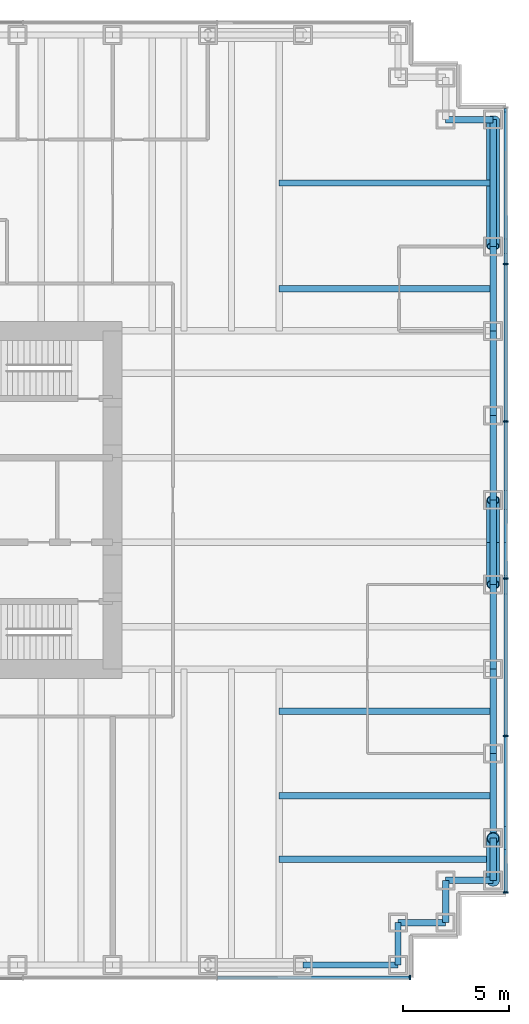
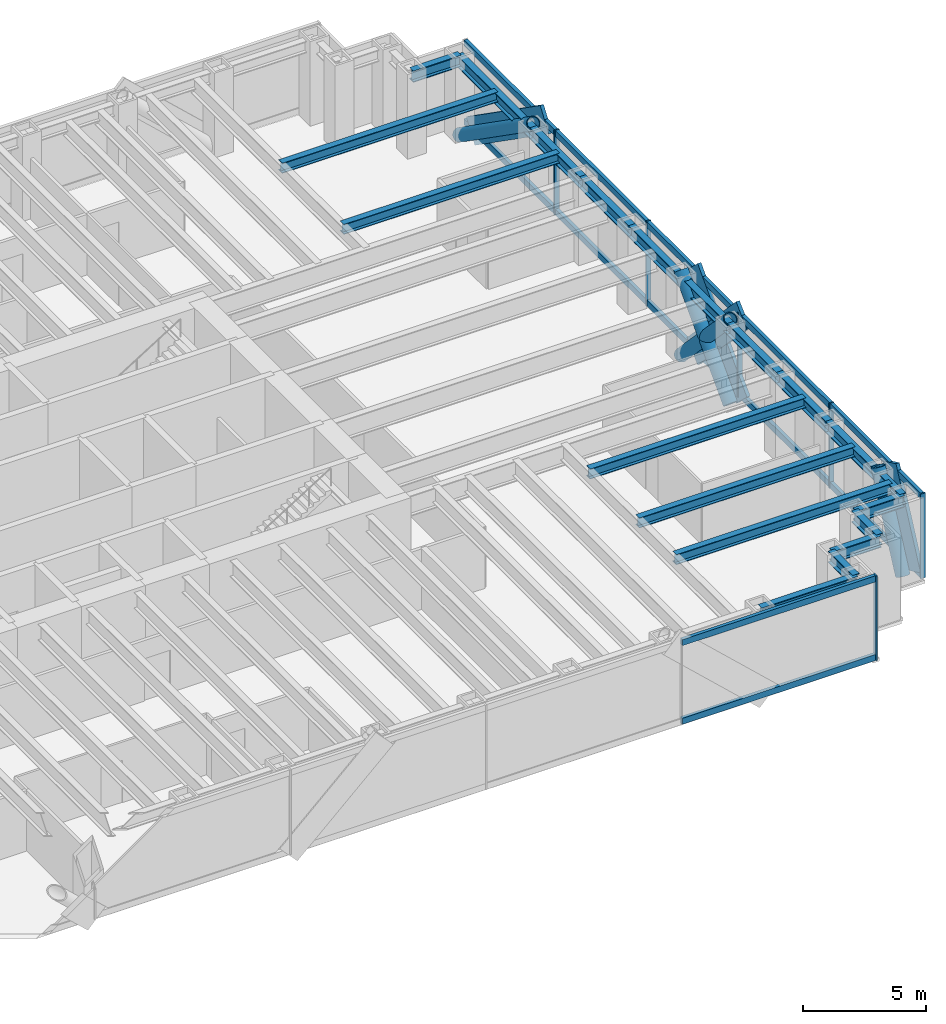
# One storey, part 8 of 17: 26 members, 20 beams, 2 elements without a shape of their own.
"""IFC4 building model written with IfcOpenShell, lengths in metres."""

from ifc_helpers import new_model, si_unit, direction, frame, origin, origin_2d, place, context, subcontext, project, spatial, rectangle, hollow_circle, i_section, extrude, material, material_profile, profile_set, type_object, element, aggregate, save


model = new_model("IFC4")

# Units and contexts
model_context = context("Model", 3, precision=1e-05, world=origin(), true_north=direction((0.0, 1.0)))
body_context = subcontext(model_context, "Body", "Model", "MODEL_VIEW")
ifc_project = project(units=[si_unit("LENGTHUNIT", "METRE"), si_unit("AREAUNIT", "SQUARE_METRE"), si_unit("VOLUMEUNIT", "CUBIC_METRE"), si_unit("PLANEANGLEUNIT", "RADIAN"), si_unit("MASSUNIT", "GRAM", prefix="KILO")], contexts=[model_context])

# Site, building, storey
site_placement = place(None, origin())
site = spatial("IfcSite", under=ifc_project, at=site_placement, CompositionType="ELEMENT")
building_placement = place(site_placement, origin())
building = spatial("IfcBuilding", under=site, at=building_placement, Name="Rheinbord Bourse Tower", CompositionType="ELEMENT")
storey_placement = place(building_placement, frame((0.0, 0.0, 159.300048828125)))
storey = spatial("IfcBuildingStorey", under=building, at=storey_placement, Name="L35", CompositionType="ELEMENT", Elevation=159.300048828125)

# Curtain wall, members
ifc_material_1 = material(Name="Dark glass and black aluminium", Category="aluminium")
curtain_wall_type = type_object("IfcCurtainWallType", Name="CW2 DARK GLASS CURTAIN WALL", PredefinedType="USERDEFINED", material=ifc_material_1)
curtain_wall_1_placement = place(storey_placement, origin())
curtain_wall_1 = element("IfcCurtainWall", 1, at=curtain_wall_1_placement, inside=storey, type_object=curtain_wall_type, Name="Curtain wall CW2 E L35", ObjectType="UNITISED CURTAIN WALL", PredefinedType="USERDEFINED")
ifc_material_2 = material(Name="Black anodised aluminium", Category="aluminium")
ifc_material_profile_1 = material_profile(ifc_material_2, rectangle(XDim=0.159912109375, YDim=1.2099609375, at=origin_2d()), Name="CW2 DIAGONAL MULLION 1210x160")
ifc_profile_set_1 = profile_set([ifc_material_profile_1], Name="Black anodised aluminium")
member_type_1 = type_object("IfcMemberType", Name="CW2 BLACK DIAGONAL MULLION", PredefinedType="USERDEFINED", material=ifc_profile_set_1)
member_1_placement = place(storey_placement, frame((72.60009765625, 6.0, 0.0), z_axis=(0.0, 0.429937654825, 0.902858578607), x_axis=(-1.0, 0.0, 0.0)))
member_1 = element("IfcMember", 2, at=member_1_placement, type_object=member_type_1, Name="CW2 diagonal mullion a", ObjectType="DIAGONAL MULLION", PredefinedType="USERDEFINED", context=body_context, shape_type="SweptSolid", body=[
    extrude(rectangle(XDim=0.159912109375, YDim=1.2099609375, at=origin_2d()), origin(), (0.0, 0.0, 1.0), 4.65185546875),
])
member_2_placement = place(storey_placement, frame((72.60009765625, 42.0, 0.0), z_axis=(0.0, -0.819235052632, 0.57345786989), x_axis=(1.0, 0.0, 0.0)))
member_2 = element("IfcMember", 3, at=member_2_placement, type_object=member_type_1, Name="CW2 diagonal mullion b", ObjectType="DIAGONAL MULLION", PredefinedType="USERDEFINED", context=body_context, shape_type="SweptSolid", body=[
    extrude(rectangle(XDim=0.159912109375, YDim=1.2099609375, at=origin_2d()), origin(), (0.0, 0.0, 1.0), 7.323974609375),
])
member_3_placement = place(storey_placement, frame((72.60009765625, 20.0, 0.0), z_axis=(0.0, 0.689659376744, 0.724133926887), x_axis=(-1.0, 0.0, 0.0)))
member_3 = element("IfcMember", 4, at=member_3_placement, type_object=member_type_1, Name="CW2 diagonal mullion c", ObjectType="DIAGONAL MULLION", PredefinedType="USERDEFINED", context=body_context, shape_type="SweptSolid", body=[
    extrude(rectangle(XDim=0.159912109375, YDim=1.2099609375, at=origin_2d()), origin(), (0.0, 0.0, 1.0), 5.800048828125),
])
member_4_placement = place(storey_placement, frame((72.60009765625, 24.0, 0.0), z_axis=(0.0, -0.689659376744, 0.724133926887), x_axis=(1.0, 0.0, 0.0)))
member_4 = element("IfcMember", 5, at=member_4_placement, type_object=member_type_1, Name="CW2 diagonal mullion d", ObjectType="DIAGONAL MULLION", PredefinedType="USERDEFINED", context=body_context, shape_type="SweptSolid", body=[
    extrude(rectangle(XDim=0.159912109375, YDim=1.2099609375, at=origin_2d()), origin(), (0.0, 0.0, 1.0), 5.800048828125),
])

# Curtain wall, member
curtain_wall_2_placement = place(storey_placement, origin())
curtain_wall_2 = element("IfcCurtainWall", 6, at=curtain_wall_2_placement, inside=storey, type_object=curtain_wall_type, Name="Curtain wall CW2 S L35", ObjectType="UNITISED CURTAIN WALL", PredefinedType="USERDEFINED")
ifc_material_3 = material(Name="Black anodised aluminium", Category="aluminium")
ifc_material_profile_2 = material_profile(ifc_material_3, rectangle(XDim=0.219970703125, YDim=0.070068359375, at=origin_2d()), Name="CW2 MULLION 70x220")
ifc_profile_set_2 = profile_set([ifc_material_profile_2], Name="Black anodised aluminium")
member_type_2 = type_object("IfcMemberType", Name="CW2 BLACK MULLION", PredefinedType="MULLION", material=ifc_profile_set_2)
member_5_placement = place(storey_placement, frame((68.06494140625, 1.39990234375, 0.0), z_axis=(0.0, 0.0, 1.0), x_axis=(0.0, 1.0, 0.0)))
member_5 = element("IfcMember", 7, at=member_5_placement, type_object=member_type_2, Name="CW2 mullion 8", PredefinedType="MULLION", context=body_context, shape_type="SweptSolid", body=[
    extrude(rectangle(XDim=0.219970703125, YDim=0.070068359375, at=origin_2d()), origin(), (0.0, 0.0, 1.0), 4.199951171875),
])

# Member
member_6_placement = place(storey_placement, frame((72.60009765625, 5.43505859375, 0.0), z_axis=(0.0, 0.0, 1.0), x_axis=(-1.0, 0.0, 0.0)))
member_6 = element("IfcMember", 8, at=member_6_placement, type_object=member_type_2, Name="CW2 mullion 1", PredefinedType="MULLION", context=body_context, shape_type="SweptSolid", body=[
    extrude(rectangle(XDim=0.219970703125, YDim=0.070068359375, at=origin_2d()), origin(), (0.0, 0.0, 1.0), 4.199951171875),
])

member_7_placement = place(storey_placement, frame((72.60009765625, 12.840087890625, 0.0), z_axis=(0.0, 0.0, 1.0), x_axis=(-1.0, 0.0, 0.0)))
member_7 = element("IfcMember", 9, at=member_7_placement, type_object=member_type_2, Name="CW2 mullion 2", PredefinedType="MULLION", context=body_context, shape_type="SweptSolid", body=[
    extrude(rectangle(XDim=0.219970703125, YDim=0.070068359375, at=origin_2d()), origin(), (0.0, 0.0, 1.0), 4.199951171875),
])

member_8_placement = place(storey_placement, frame((72.60009765625, 20.280029296875, 0.0), z_axis=(0.0, 0.0, 1.0), x_axis=(-1.0, 0.0, 0.0)))
member_8 = element("IfcMember", 10, at=member_8_placement, type_object=member_type_2, Name="CW2 mullion 3", PredefinedType="MULLION", context=body_context, shape_type="SweptSolid", body=[
    extrude(rectangle(XDim=0.219970703125, YDim=0.070068359375, at=origin_2d()), origin(), (0.0, 0.0, 1.0), 4.199951171875),
])

member_9_placement = place(storey_placement, frame((72.60009765625, 27.719970703125, 0.0), z_axis=(0.0, 0.0, 1.0), x_axis=(-1.0, 0.0, 0.0)))
member_9 = element("IfcMember", 11, at=member_9_placement, type_object=member_type_2, Name="CW2 mullion 4", PredefinedType="MULLION", context=body_context, shape_type="SweptSolid", body=[
    extrude(rectangle(XDim=0.219970703125, YDim=0.070068359375, at=origin_2d()), origin(), (0.0, 0.0, 1.0), 4.199951171875),
])

member_10_placement = place(storey_placement, frame((72.60009765625, 35.159912109375, 0.0), z_axis=(0.0, 0.0, 1.0), x_axis=(-1.0, 0.0, 0.0)))
member_10 = element("IfcMember", 12, at=member_10_placement, type_object=member_type_2, Name="CW2 mullion 5", PredefinedType="MULLION", context=body_context, shape_type="SweptSolid", body=[
    extrude(rectangle(XDim=0.219970703125, YDim=0.070068359375, at=origin_2d()), origin(), (0.0, 0.0, 1.0), 4.199951171875),
])

ifc_material_4 = material(Name="Black anodised aluminium", Category="aluminium")
ifc_material_profile_3 = material_profile(ifc_material_4, rectangle(XDim=0.159912109375, YDim=0.300048828125, at=origin_2d()), Name="CW2 TRANSOM 300x160")
ifc_profile_set_3 = profile_set([ifc_material_profile_3], Name="Black anodised aluminium")
member_type_3 = type_object("IfcMemberType", Name="CW2 BLACK TRANSOM", PredefinedType="USERDEFINED", material=ifc_profile_set_3)
member_11_placement = place(storey_placement, frame((58.963623046875, 1.39990234375, 0.14990234375), z_axis=(1.0, 0.0, 0.0), x_axis=(0.0, 1.0, 0.0)))
member_11 = element("IfcMember", 13, at=member_11_placement, type_object=member_type_3, Name="CW2 transom 7.1", ObjectType="TRANSOM", PredefinedType="USERDEFINED", context=body_context, shape_type="SweptSolid", body=[
    extrude(rectangle(XDim=0.159912109375, YDim=0.300048828125, at=origin_2d()), origin(), (0.0, 0.0, 1.0), 9.06640625),
])

member_12_placement = place(storey_placement, frame((58.963623046875, 1.39990234375, 4.050048828125), z_axis=(1.0, 0.0, 0.0), x_axis=(0.0, 1.0, 0.0)))
member_12 = element("IfcMember", 14, at=member_12_placement, type_object=member_type_3, Name="CW2 transom 7.2", ObjectType="TRANSOM", PredefinedType="USERDEFINED", context=body_context, shape_type="SweptSolid", body=[
    extrude(rectangle(XDim=0.159912109375, YDim=0.300048828125, at=origin_2d()), origin(), (0.0, 0.0, 1.0), 9.06640625),
])

aggregate(curtain_wall_2, [member_5, member_11, member_12])

member_13_placement = place(storey_placement, frame((72.60009765625, 5.469970703125, 0.14990234375), z_axis=(0.0, 1.0, 0.0), x_axis=(-1.0, 0.0, 0.0)))
member_13 = element("IfcMember", 15, at=member_13_placement, type_object=member_type_3, Name="CW2 transom 1.1", ObjectType="TRANSOM", PredefinedType="USERDEFINED", context=body_context, shape_type="SweptSolid", body=[
    extrude(rectangle(XDim=0.159912109375, YDim=0.300048828125, at=origin_2d()), origin(), (0.0, 0.0, 1.0), 7.3349609375),
])

member_14_placement = place(storey_placement, frame((72.60009765625, 5.469970703125, 4.050048828125), z_axis=(0.0, 1.0, 0.0), x_axis=(-1.0, 0.0, 0.0)))
member_14 = element("IfcMember", 16, at=member_14_placement, type_object=member_type_3, Name="CW2 transom 1.2", ObjectType="TRANSOM", PredefinedType="USERDEFINED", context=body_context, shape_type="SweptSolid", body=[
    extrude(rectangle(XDim=0.159912109375, YDim=0.300048828125, at=origin_2d()), origin(), (0.0, 0.0, 1.0), 7.3349609375),
])

member_15_placement = place(storey_placement, frame((72.60009765625, 12.875, 0.14990234375), z_axis=(0.0, 1.0, 0.0), x_axis=(-1.0, 0.0, 0.0)))
member_15 = element("IfcMember", 17, at=member_15_placement, type_object=member_type_3, Name="CW2 transom 2.1", ObjectType="TRANSOM", PredefinedType="USERDEFINED", context=body_context, shape_type="SweptSolid", body=[
    extrude(rectangle(XDim=0.159912109375, YDim=0.300048828125, at=origin_2d()), origin(), (0.0, 0.0, 1.0), 7.3701171875),
])

member_16_placement = place(storey_placement, frame((72.60009765625, 12.875, 4.050048828125), z_axis=(0.0, 1.0, 0.0), x_axis=(-1.0, 0.0, 0.0)))
member_16 = element("IfcMember", 18, at=member_16_placement, type_object=member_type_3, Name="CW2 transom 2.2", ObjectType="TRANSOM", PredefinedType="USERDEFINED", context=body_context, shape_type="SweptSolid", body=[
    extrude(rectangle(XDim=0.159912109375, YDim=0.300048828125, at=origin_2d()), origin(), (0.0, 0.0, 1.0), 7.3701171875),
])

member_17_placement = place(storey_placement, frame((72.60009765625, 20.31494140625, 0.14990234375), z_axis=(0.0, 1.0, 0.0), x_axis=(-1.0, 0.0, 0.0)))
member_17 = element("IfcMember", 19, at=member_17_placement, type_object=member_type_3, Name="CW2 transom 3.1", ObjectType="TRANSOM", PredefinedType="USERDEFINED", context=body_context, shape_type="SweptSolid", body=[
    extrude(rectangle(XDim=0.159912109375, YDim=0.300048828125, at=origin_2d()), origin(), (0.0, 0.0, 1.0), 7.3701171875),
])

member_18_placement = place(storey_placement, frame((72.60009765625, 20.31494140625, 4.050048828125), z_axis=(0.0, 1.0, 0.0), x_axis=(-1.0, 0.0, 0.0)))
member_18 = element("IfcMember", 20, at=member_18_placement, type_object=member_type_3, Name="CW2 transom 3.2", ObjectType="TRANSOM", PredefinedType="USERDEFINED", context=body_context, shape_type="SweptSolid", body=[
    extrude(rectangle(XDim=0.159912109375, YDim=0.300048828125, at=origin_2d()), origin(), (0.0, 0.0, 1.0), 7.3701171875),
])

member_19_placement = place(storey_placement, frame((72.60009765625, 27.7548828125, 0.14990234375), z_axis=(0.0, 1.0, 0.0), x_axis=(-1.0, 0.0, 0.0)))
member_19 = element("IfcMember", 21, at=member_19_placement, type_object=member_type_3, Name="CW2 transom 4.1", ObjectType="TRANSOM", PredefinedType="USERDEFINED", context=body_context, shape_type="SweptSolid", body=[
    extrude(rectangle(XDim=0.159912109375, YDim=0.300048828125, at=origin_2d()), origin(), (0.0, 0.0, 1.0), 7.3701171875),
])

member_20_placement = place(storey_placement, frame((72.60009765625, 27.7548828125, 4.050048828125), z_axis=(0.0, 1.0, 0.0), x_axis=(-1.0, 0.0, 0.0)))
member_20 = element("IfcMember", 22, at=member_20_placement, type_object=member_type_3, Name="CW2 transom 4.2", ObjectType="TRANSOM", PredefinedType="USERDEFINED", context=body_context, shape_type="SweptSolid", body=[
    extrude(rectangle(XDim=0.159912109375, YDim=0.300048828125, at=origin_2d()), origin(), (0.0, 0.0, 1.0), 7.3701171875),
])

member_21_placement = place(storey_placement, frame((72.60009765625, 35.195068359375, 0.14990234375), z_axis=(0.0, 1.0, 0.0), x_axis=(-1.0, 0.0, 0.0)))
member_21 = element("IfcMember", 23, at=member_21_placement, type_object=member_type_3, Name="CW2 transom 5.1", ObjectType="TRANSOM", PredefinedType="USERDEFINED", context=body_context, shape_type="SweptSolid", body=[
    extrude(rectangle(XDim=0.159912109375, YDim=0.300048828125, at=origin_2d()), origin(), (0.0, 0.0, 1.0), 7.3349609375),
])

member_22_placement = place(storey_placement, frame((72.60009765625, 35.195068359375, 4.050048828125), z_axis=(0.0, 1.0, 0.0), x_axis=(-1.0, 0.0, 0.0)))
member_22 = element("IfcMember", 24, at=member_22_placement, type_object=member_type_3, Name="CW2 transom 5.2", ObjectType="TRANSOM", PredefinedType="USERDEFINED", context=body_context, shape_type="SweptSolid", body=[
    extrude(rectangle(XDim=0.159912109375, YDim=0.300048828125, at=origin_2d()), origin(), (0.0, 0.0, 1.0), 7.3349609375),
])

aggregate(curtain_wall_1, [member_6, member_7, member_8, member_9, member_10, member_13, member_14, member_15, member_16, member_17, member_18, member_19, member_20, member_21, member_22, member_1, member_2, member_3, member_4])

# Members
ifc_material_5 = material(Name="Steel S460", Category="steel")
ifc_material_profile_4 = material_profile(ifc_material_5, hollow_circle(Radius=0.304931640625, WallThickness=0.0400390625, at=origin_2d()), Name="CHS 610x40")
ifc_profile_set_4 = profile_set([ifc_material_profile_4], Name="Steel S460")
member_type_4 = type_object("IfcMemberType", Name="MEGABRACE CHS 610x40", PredefinedType="BRACE", material=ifc_profile_set_4)
member_23_placement = place(storey_placement, frame((72.0, 6.0, 0.0), z_axis=(0.0, 0.429937654825, 0.902858578607), x_axis=(-1.0, 0.0, 0.0)))
element("IfcMember", 25, at=member_23_placement, inside=storey, type_object=member_type_4, Name="Megabrace E face line a L35", PredefinedType="BRACE", context=body_context, shape_type="SweptSolid", body=[
    extrude(hollow_circle(Radius=0.304931640625, WallThickness=0.0400390625, at=origin_2d()), origin(), (0.0, 0.0, 1.0), 4.65185546875),
])
member_24_placement = place(storey_placement, frame((72.0, 42.0, 0.0), z_axis=(0.0, -0.819235052632, 0.57345786989), x_axis=(1.0, 0.0, 0.0)))
element("IfcMember", 26, at=member_24_placement, inside=storey, type_object=member_type_4, Name="Megabrace E face line b L35", PredefinedType="BRACE", context=body_context, shape_type="SweptSolid", body=[
    extrude(hollow_circle(Radius=0.304931640625, WallThickness=0.0400390625, at=origin_2d()), origin(), (0.0, 0.0, 1.0), 7.323974609375),
])
for number, where, z_axis, x_axis, name in (
    (27, (72.0, 20.0, 0.0), (0.0, 0.689659376744, 0.724133926887), (-1.0, 0.0, 0.0), "Megabrace E face line c L35"),
    (28, (72.0, 24.0, 0.0), (0.0, -0.689659376744, 0.724133926887), (1.0, 0.0, 0.0), "Megabrace E face line d L35"),
):
    element("IfcMember", number, at=place(storey_placement, frame(where, z_axis=z_axis, x_axis=x_axis)), inside=storey, type_object=member_type_4, Name=name, PredefinedType="BRACE", context=body_context, shape_type="SweptSolid", body=[
        extrude(hollow_circle(Radius=0.304931640625, WallThickness=0.0400390625, at=origin_2d()), origin(), (0.0, 0.0, 1.0), 5.800048828125),
    ])

# Beams
ifc_material_6 = material(Name="Steel S460", Category="steel")
ifc_material_profile_5 = material_profile(ifc_material_6, i_section(OverallWidth=0.305908203125, OverallDepth=0.572021484375, WebThickness=0.02099609375, FlangeThickness=0.0400390625, at=origin_2d()), Name="HEM 550")
ifc_profile_set_5 = profile_set([ifc_material_profile_5], Name="Steel S460")
beam_type_1 = type_object("IfcBeamType", Name="SPANDREL HEM 550", PredefinedType="SPANDREL", material=ifc_profile_set_5)
beam_1_placement = place(storey_placement, frame((63.0, 2.0, 3.75390625), z_axis=(1.0, 0.0, 0.0), x_axis=(0.0, 1.0, 0.0)))
element("IfcBeam", 29, at=beam_1_placement, inside=storey, type_object=beam_type_1, Name="Spandrel S-63-SE-E under L36", PredefinedType="SPANDREL", context=body_context, shape_type="SweptSolid", body=[
    extrude(i_section(OverallWidth=0.305908203125, OverallDepth=0.572021484375, WebThickness=0.02099609375, FlangeThickness=0.0400390625, at=origin_2d()), origin(), (0.0, 0.0, 1.0), 4.5),
])
beam_2_placement = place(storey_placement, frame((67.5, 2.0, 3.75390625), z_axis=(0.0, 1.0, 0.0), x_axis=(-1.0, 0.0, 0.0)))
element("IfcBeam", 30, at=beam_2_placement, inside=storey, type_object=beam_type_1, Name="Spandrel SE-E-SE-D under L36", PredefinedType="SPANDREL", context=body_context, shape_type="SweptSolid", body=[
    extrude(i_section(OverallWidth=0.305908203125, OverallDepth=0.572021484375, WebThickness=0.02099609375, FlangeThickness=0.0400390625, at=origin_2d()), origin(), (0.0, 0.0, 1.0), 2.0),
])
beam_3_placement = place(storey_placement, frame((67.5, 4.0, 3.75390625), z_axis=(1.0, 0.0, 0.0), x_axis=(0.0, 1.0, 0.0)))
element("IfcBeam", 31, at=beam_3_placement, inside=storey, type_object=beam_type_1, Name="Spandrel SE-D-SE-C under L36", PredefinedType="SPANDREL", context=body_context, shape_type="SweptSolid", body=[
    extrude(i_section(OverallWidth=0.305908203125, OverallDepth=0.572021484375, WebThickness=0.02099609375, FlangeThickness=0.0400390625, at=origin_2d()), origin(), (0.0, 0.0, 1.0), 2.25),
])
beam_4_placement = place(storey_placement, frame((69.75, 4.0, 3.75390625), z_axis=(0.0, 1.0, 0.0), x_axis=(-1.0, 0.0, 0.0)))
element("IfcBeam", 32, at=beam_4_placement, inside=storey, type_object=beam_type_1, Name="Spandrel SE-C-SE-B under L36", PredefinedType="SPANDREL", context=body_context, shape_type="SweptSolid", body=[
    extrude(i_section(OverallWidth=0.305908203125, OverallDepth=0.572021484375, WebThickness=0.02099609375, FlangeThickness=0.0400390625, at=origin_2d()), origin(), (0.0, 0.0, 1.0), 2.0),
])
beam_5_placement = place(storey_placement, frame((69.75, 6.0, 3.75390625), z_axis=(1.0, 0.0, 0.0), x_axis=(0.0, 1.0, 0.0)))
element("IfcBeam", 33, at=beam_5_placement, inside=storey, type_object=beam_type_1, Name="Spandrel SE-B-SE-A under L36", PredefinedType="SPANDREL", context=body_context, shape_type="SweptSolid", body=[
    extrude(i_section(OverallWidth=0.305908203125, OverallDepth=0.572021484375, WebThickness=0.02099609375, FlangeThickness=0.0400390625, at=origin_2d()), origin(), (0.0, 0.0, 1.0), 2.25),
])
beam_6_placement = place(storey_placement, frame((72.0, 6.0, 3.75390625), z_axis=(0.0, 1.0, 0.0), x_axis=(-1.0, 0.0, 0.0)))
element("IfcBeam", 34, at=beam_6_placement, inside=storey, type_object=beam_type_1, Name="Spandrel SE-A-E-8 under L36", PredefinedType="SPANDREL", context=body_context, shape_type="SweptSolid", body=[
    extrude(i_section(OverallWidth=0.305908203125, OverallDepth=0.572021484375, WebThickness=0.02099609375, FlangeThickness=0.0400390625, at=origin_2d()), origin(), (0.0, 0.0, 1.0), 2.0),
])
for number, where, z_axis, x_axis, name in (
    (35, (72.0, 8.0, 3.75390625), (0.0, 1.0, 0.0), (-1.0, 0.0, 0.0), "Spandrel E-8-E-12 under L36"),
    (36, (72.0, 12.0, 3.75390625), (0.0, 1.0, 0.0), (-1.0, 0.0, 0.0), "Spandrel E-12-E-16 under L36"),
    (37, (72.0, 16.0, 3.75390625), (0.0, 1.0, 0.0), (-1.0, 0.0, 0.0), "Spandrel E-16-E-20 under L36"),
    (38, (72.0, 20.0, 3.75390625), (0.0, 1.0, 0.0), (-1.0, 0.0, 0.0), "Spandrel E-20-E-24 under L36"),
    (39, (72.0, 24.0, 3.75390625), (0.0, 1.0, 0.0), (-1.0, 0.0, 0.0), "Spandrel E-24-E-28 under L36"),
    (40, (72.0, 28.0, 3.75390625), (0.0, 1.0, 0.0), (-1.0, 0.0, 0.0), "Spandrel E-28-E-32 under L36"),
    (41, (72.0, 32.0, 3.75390625), (0.0, 1.0, 0.0), (-1.0, 0.0, 0.0), "Spandrel E-32-E-36 under L36"),
):
    element("IfcBeam", number, at=place(storey_placement, frame(where, z_axis=z_axis, x_axis=x_axis)), inside=storey, type_object=beam_type_1, Name=name, PredefinedType="SPANDREL", context=body_context, shape_type="SweptSolid", body=[
        extrude(i_section(OverallWidth=0.305908203125, OverallDepth=0.572021484375, WebThickness=0.02099609375, FlangeThickness=0.0400390625, at=origin_2d()), origin(), (0.0, 0.0, 1.0), 4.0),
    ])
beam_7_placement = place(storey_placement, frame((72.0, 36.0, 3.75390625), z_axis=(0.0, 1.0, 0.0), x_axis=(-1.0, 0.0, 0.0)))
element("IfcBeam", 42, at=beam_7_placement, inside=storey, type_object=beam_type_1, Name="Spandrel E-36-NE-A under L36", PredefinedType="SPANDREL", context=body_context, shape_type="SweptSolid", body=[
    extrude(i_section(OverallWidth=0.305908203125, OverallDepth=0.572021484375, WebThickness=0.02099609375, FlangeThickness=0.0400390625, at=origin_2d()), origin(), (0.0, 0.0, 1.0), 6.0),
])
beam_8_placement = place(storey_placement, frame((72.0, 42.0, 3.75390625), z_axis=(-1.0, 0.0, 0.0), x_axis=(0.0, -1.0, 0.0)))
element("IfcBeam", 43, at=beam_8_placement, inside=storey, type_object=beam_type_1, Name="Spandrel NE-A-NE-B under L36", PredefinedType="SPANDREL", context=body_context, shape_type="SweptSolid", body=[
    extrude(i_section(OverallWidth=0.305908203125, OverallDepth=0.572021484375, WebThickness=0.02099609375, FlangeThickness=0.0400390625, at=origin_2d()), origin(), (0.0, 0.0, 1.0), 2.25),
])
ifc_material_7 = material(Name="Steel S460", Category="steel")
ifc_material_profile_6 = material_profile(ifc_material_7, i_section(OverallWidth=0.300048828125, OverallDepth=0.5, WebThickness=0.014404296875, FlangeThickness=0.028076171875, at=origin_2d()), Name="HEB 500")
ifc_profile_set_6 = profile_set([ifc_material_profile_6], Name="Steel S460")
beam_type_2 = type_object("IfcBeamType", Name="TIE BEAM HEB 500", PredefinedType="JOIST", material=ifc_profile_set_6)
for number, where, z_axis, x_axis, name in (
    (44, (61.875, 7.0, 3.7900390625), (1.0, 0.0, 0.0), (0.0, 1.0, 0.0), "Tie east 7 L36"),
    (45, (61.875, 10.0, 3.7900390625), (1.0, 0.0, 0.0), (0.0, 1.0, 0.0), "Tie east 10 L36"),
    (46, (61.875, 14.0, 3.7900390625), (1.0, 0.0, 0.0), (0.0, 1.0, 0.0), "Tie east 14 L36"),
    (47, (61.875, 34.0, 3.7900390625), (1.0, 0.0, 0.0), (0.0, 1.0, 0.0), "Tie east 34 L36"),
    (48, (61.875, 39.0, 3.7900390625), (1.0, 0.0, 0.0), (0.0, 1.0, 0.0), "Tie east 39 L36"),
):
    element("IfcBeam", number, at=place(storey_placement, frame(where, z_axis=z_axis, x_axis=x_axis)), inside=storey, type_object=beam_type_2, Name=name, PredefinedType="JOIST", context=body_context, shape_type="SweptSolid", body=[
        extrude(i_section(OverallWidth=0.300048828125, OverallDepth=0.5, WebThickness=0.014404296875, FlangeThickness=0.028076171875, at=origin_2d()), origin(), (0.0, 0.0, 1.0), 10.125),
    ])

save(model, "model.ifc")
